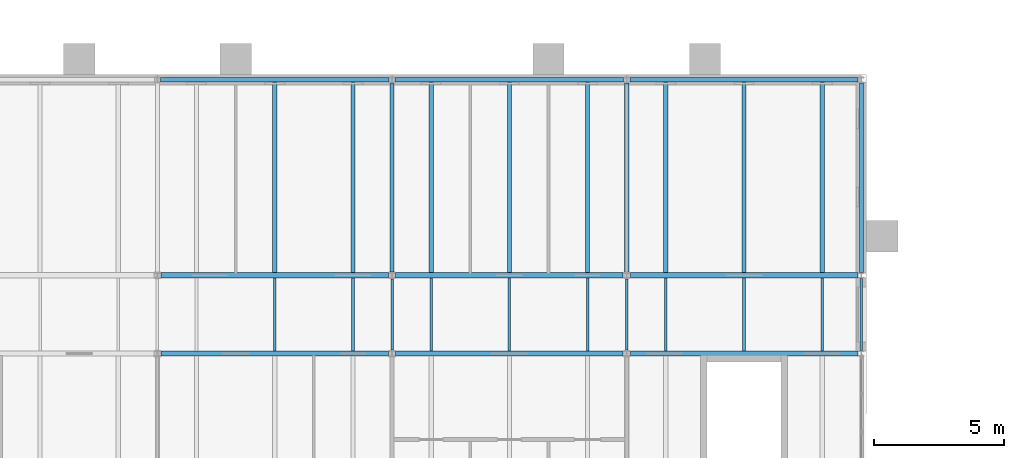
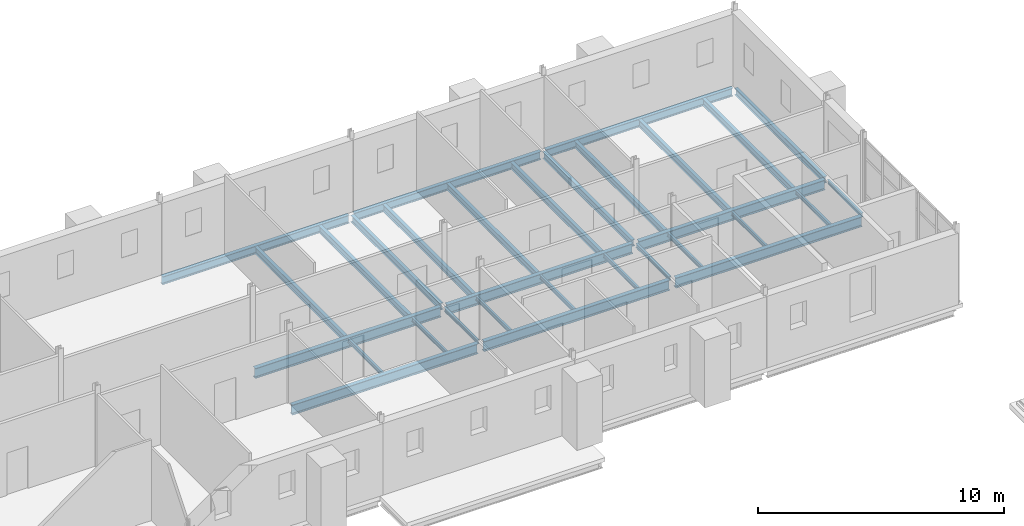
# One storey, part 51 of 121: 31 beams.
"""IFC4 building model written with IfcOpenShell, lengths in metres."""

from ifc_helpers import new_model, si_unit, direction, frame, origin, origin_2d, place, context, subcontext, project, spatial, i_section, extrude, material, material_profile, profile_set, type_object, element, save


model = new_model("IFC4")

# Units and contexts
model_context = context("Model", 3, precision=1e-05, world=origin(), true_north=direction((0.0, 1.0)))
body_context = subcontext(model_context, "Body", "Model", "MODEL_VIEW")
ifc_project = project(units=[si_unit("LENGTHUNIT", "METRE"), si_unit("AREAUNIT", "SQUARE_METRE"), si_unit("VOLUMEUNIT", "CUBIC_METRE"), si_unit("PLANEANGLEUNIT", "RADIAN"), si_unit("MASSUNIT", "GRAM", prefix="KILO")], contexts=[model_context])

# Site, building, storey
site_placement = place(None, origin())
site = spatial("IfcSite", under=ifc_project, at=site_placement, CompositionType="ELEMENT")
building_placement = place(site_placement, origin())
building = spatial("IfcBuilding", under=site, at=building_placement, Name="Golden Quay Civic Hall", CompositionType="ELEMENT")
storey_placement = place(building_placement, frame((0.0, 0.0, 18.60009765625)))
storey = spatial("IfcBuildingStorey", under=building, at=storey_placement, Name="L04", CompositionType="ELEMENT", Elevation=18.60009765625)

# Beams
ifc_material_1 = material(Name="Steel S355", Category="steel")
ifc_material_profile_1 = material_profile(ifc_material_1, i_section(OverallWidth=0.10009765625, OverallDepth=0.199951171875, WebThickness=0.005615234375, FlangeThickness=0.008544921875, FilletRadius=0.011962890625, at=origin_2d()), Name="IPE 200")
ifc_profile_set_1 = profile_set([ifc_material_profile_1], Name="Steel S355")
beam_type_1 = type_object("IfcBeamType", Name="Steel beam IPE 200", PredefinedType="BEAM", material=ifc_profile_set_1)
for number, where, z_axis, x_axis, name in (
    (1, (36.0, 70.635009765625, -0.300048828125), (0.0, 1.0, 0.0), (-1.0, 0.0, 0.0), "Beam S36-70.5"),
    (2, (45.0, 70.635009765625, -0.300048828125), (0.0, 1.0, 0.0), (-1.0, 0.0, 0.0), "Beam S45-70.5"),
):
    element("IfcBeam", number, at=place(storey_placement, frame(where, z_axis=z_axis, x_axis=x_axis)), inside=storey, type_object=beam_type_1, Name=name, PredefinedType="BEAM", context=body_context, shape_type="SweptSolid", body=[
        extrude(i_section(OverallWidth=0.10009765625, OverallDepth=0.199951171875, WebThickness=0.005615234375, FlangeThickness=0.008544921875, FilletRadius=0.011962890625, at=origin_2d()), origin(), (0.0, 0.0, 1.0), 2.72998046875),
    ])
beam_1_placement = place(storey_placement, frame((54.0, 70.614990234375, -0.300048828125), z_axis=(0.0, 1.0, 0.0), x_axis=(-1.0, 0.0, 0.0)))
element("IfcBeam", 3, at=beam_1_placement, inside=storey, type_object=beam_type_1, Name="Beam S54-70.5", PredefinedType="BEAM", context=body_context, shape_type="SweptSolid", body=[
    extrude(i_section(OverallWidth=0.10009765625, OverallDepth=0.199951171875, WebThickness=0.005615234375, FlangeThickness=0.008544921875, FilletRadius=0.011962890625, at=origin_2d()), origin(), (0.0, 0.0, 1.0), 2.77001953125),
])
ifc_material_2 = material(Name="Steel S355", Category="steel")
ifc_material_profile_2 = material_profile(ifc_material_2, i_section(OverallWidth=0.159912109375, OverallDepth=0.330078125, WebThickness=0.007568359375, FlangeThickness=0.011474609375, FilletRadius=0.01806640625, at=origin_2d()), Name="IPE 330")
ifc_profile_set_2 = profile_set([ifc_material_profile_2], Name="Steel S355")
beam_type_2 = type_object("IfcBeamType", Name="Steel beam IPE 330", PredefinedType="BEAM", material=ifc_profile_set_2)
for number, where, z_axis, x_axis, name in (
    (4, (36.0, 73.635009765625, -0.364990234375), (0.0, 1.0, 0.0), (-1.0, 0.0, 0.0), "Beam S36-73.5"),
    (5, (45.0, 73.635009765625, -0.364990234375), (0.0, 1.0, 0.0), (-1.0, 0.0, 0.0), "Beam S45-73.5"),
):
    element("IfcBeam", number, at=place(storey_placement, frame(where, z_axis=z_axis, x_axis=x_axis)), inside=storey, type_object=beam_type_2, Name=name, PredefinedType="BEAM", context=body_context, shape_type="SweptSolid", body=[
        extrude(i_section(OverallWidth=0.159912109375, OverallDepth=0.330078125, WebThickness=0.007568359375, FlangeThickness=0.011474609375, FilletRadius=0.01806640625, at=origin_2d()), origin(), (0.0, 0.0, 1.0), 7.25),
    ])
beam_2_placement = place(storey_placement, frame((54.0, 73.614990234375, -0.364990234375), z_axis=(0.0, 1.0, 0.0), x_axis=(-1.0, 0.0, 0.0)))
element("IfcBeam", 6, at=beam_2_placement, inside=storey, type_object=beam_type_2, Name="Beam S54-73.5", PredefinedType="BEAM", context=body_context, shape_type="SweptSolid", body=[
    extrude(i_section(OverallWidth=0.159912109375, OverallDepth=0.330078125, WebThickness=0.007568359375, FlangeThickness=0.011474609375, FilletRadius=0.01806640625, at=origin_2d()), origin(), (0.0, 0.0, 1.0), 7.27001953125),
])
ifc_material_3 = material(Name="Steel S355", Category="steel")
ifc_material_profile_3 = material_profile(ifc_material_3, i_section(OverallWidth=0.179931640625, OverallDepth=0.39990234375, WebThickness=0.008544921875, FlangeThickness=0.013427734375, FilletRadius=0.02099609375, at=origin_2d()), Name="IPE 400")
ifc_profile_set_3 = profile_set([ifc_material_profile_3], Name="Steel S355")
beam_type_3 = type_object("IfcBeamType", Name="Steel beam IPE 400", PredefinedType="BEAM", material=ifc_profile_set_3)
for number, where, z_axis, x_axis, name in (
    (7, (27.1201171875, 81.0, -0.400146484375), (1.0, 0.0, 0.0), (0.0, 1.0, 0.0), "Beam L81-27"),
    (8, (36.1201171875, 81.0, -0.400146484375), (1.0, 0.0, 0.0), (0.0, 1.0, 0.0), "Beam L81-36"),
    (9, (45.1201171875, 81.0, -0.400146484375), (1.0, 0.0, 0.0), (0.0, 1.0, 0.0), "Beam L81-45"),
):
    element("IfcBeam", number, at=place(storey_placement, frame(where, z_axis=z_axis, x_axis=x_axis)), inside=storey, type_object=beam_type_3, Name=name, PredefinedType="BEAM", context=body_context, shape_type="SweptSolid", body=[
        extrude(i_section(OverallWidth=0.179931640625, OverallDepth=0.39990234375, WebThickness=0.008544921875, FlangeThickness=0.013427734375, FilletRadius=0.02099609375, at=origin_2d()), origin(), (0.0, 0.0, 1.0), 8.759765625),
    ])
ifc_material_4 = material(Name="Steel S355", Category="steel")
ifc_material_profile_4 = material_profile(ifc_material_4, i_section(OverallWidth=0.199951171875, OverallDepth=0.5, WebThickness=0.01025390625, FlangeThickness=0.01611328125, FilletRadius=0.02099609375, at=origin_2d()), Name="IPE 500")
ifc_profile_set_4 = profile_set([ifc_material_profile_4], Name="Steel S355")
beam_type_4 = type_object("IfcBeamType", Name="Steel beam IPE 500", PredefinedType="BEAM", material=ifc_profile_set_4)
for number, where, z_axis, x_axis, name in (
    (10, (27.139892578125, 70.5, -0.4501953125), (1.0, 0.0, 0.0), (0.0, 1.0, 0.0), "Beam L70.5-27"),
    (11, (36.139892578125, 70.5, -0.4501953125), (1.0, 0.0, 0.0), (0.0, 1.0, 0.0), "Beam L70.5-36"),
):
    element("IfcBeam", number, at=place(storey_placement, frame(where, z_axis=z_axis, x_axis=x_axis)), inside=storey, type_object=beam_type_4, Name=name, PredefinedType="BEAM", context=body_context, shape_type="SweptSolid", body=[
        extrude(i_section(OverallWidth=0.199951171875, OverallDepth=0.5, WebThickness=0.01025390625, FlangeThickness=0.01611328125, FilletRadius=0.02099609375, at=origin_2d()), origin(), (0.0, 0.0, 1.0), 8.72021484375),
    ])
beam_3_placement = place(storey_placement, frame((45.139892578125, 70.5, -0.4501953125), z_axis=(1.0, 0.0, 0.0), x_axis=(0.0, 1.0, 0.0)))
element("IfcBeam", 12, at=beam_3_placement, inside=storey, type_object=beam_type_4, Name="Beam L70.5-45", PredefinedType="BEAM", context=body_context, shape_type="SweptSolid", body=[
    extrude(i_section(OverallWidth=0.199951171875, OverallDepth=0.5, WebThickness=0.01025390625, FlangeThickness=0.01611328125, FilletRadius=0.02099609375, at=origin_2d()), origin(), (0.0, 0.0, 1.0), 8.739990234375),
])
for number, where, z_axis, x_axis, name in (
    (13, (27.139892578125, 73.5, -0.4501953125), (1.0, 0.0, 0.0), (0.0, 1.0, 0.0), "Beam L73.5-27"),
    (14, (36.139892578125, 73.5, -0.4501953125), (1.0, 0.0, 0.0), (0.0, 1.0, 0.0), "Beam L73.5-36"),
):
    element("IfcBeam", number, at=place(storey_placement, frame(where, z_axis=z_axis, x_axis=x_axis)), inside=storey, type_object=beam_type_4, Name=name, PredefinedType="BEAM", context=body_context, shape_type="SweptSolid", body=[
        extrude(i_section(OverallWidth=0.199951171875, OverallDepth=0.5, WebThickness=0.01025390625, FlangeThickness=0.01611328125, FilletRadius=0.02099609375, at=origin_2d()), origin(), (0.0, 0.0, 1.0), 8.72021484375),
    ])
beam_4_placement = place(storey_placement, frame((45.139892578125, 73.5, -0.4501953125), z_axis=(1.0, 0.0, 0.0), x_axis=(0.0, 1.0, 0.0)))
element("IfcBeam", 15, at=beam_4_placement, inside=storey, type_object=beam_type_4, Name="Beam L73.5-45", PredefinedType="BEAM", context=body_context, shape_type="SweptSolid", body=[
    extrude(i_section(OverallWidth=0.199951171875, OverallDepth=0.5, WebThickness=0.01025390625, FlangeThickness=0.01611328125, FilletRadius=0.02099609375, at=origin_2d()), origin(), (0.0, 0.0, 1.0), 8.739990234375),
])
ifc_material_5 = material(Name="Steel S355", Category="steel")
ifc_material_profile_5 = material_profile(ifc_material_5, i_section(OverallWidth=0.10009765625, OverallDepth=0.199951171875, WebThickness=0.005615234375, FlangeThickness=0.008544921875, FilletRadius=0.011962890625, at=origin_2d()), Name="IPE 200")
ifc_profile_set_5 = profile_set([ifc_material_profile_5], Name="Steel S355")
beam_type_5 = type_object("IfcBeamType", Name="Steel joist IPE 200", PredefinedType="JOIST", material=ifc_profile_set_5)
for number, where, z_axis, x_axis, name in (
    (16, (31.5, 70.60009765625, -0.300048828125), (0.0, 1.0, 0.0), (-1.0, 0.0, 0.0), "Joist J31.5-70.5"),
    (17, (34.5, 70.60009765625, -0.300048828125), (0.0, 1.0, 0.0), (-1.0, 0.0, 0.0), "Joist J34.5-70.5"),
    (18, (37.5, 70.60009765625, -0.300048828125), (0.0, 1.0, 0.0), (-1.0, 0.0, 0.0), "Joist J37.5-70.5"),
    (19, (40.5, 70.60009765625, -0.300048828125), (0.0, 1.0, 0.0), (-1.0, 0.0, 0.0), "Joist J40.5-70.5"),
    (20, (43.5, 70.60009765625, -0.300048828125), (0.0, 1.0, 0.0), (-1.0, 0.0, 0.0), "Joist J43.5-70.5"),
    (21, (46.5, 70.60009765625, -0.300048828125), (0.0, 1.0, 0.0), (-1.0, 0.0, 0.0), "Joist J46.5-70.5"),
    (22, (49.5, 70.60009765625, -0.300048828125), (0.0, 1.0, 0.0), (-1.0, 0.0, 0.0), "Joist J49.5-70.5"),
    (23, (52.5, 70.60009765625, -0.300048828125), (0.0, 1.0, 0.0), (-1.0, 0.0, 0.0), "Joist J52.5-70.5"),
):
    element("IfcBeam", number, at=place(storey_placement, frame(where, z_axis=z_axis, x_axis=x_axis)), inside=storey, type_object=beam_type_5, Name=name, PredefinedType="JOIST", context=body_context, shape_type="SweptSolid", body=[
        extrude(i_section(OverallWidth=0.10009765625, OverallDepth=0.199951171875, WebThickness=0.005615234375, FlangeThickness=0.008544921875, FilletRadius=0.011962890625, at=origin_2d()), origin(), (0.0, 0.0, 1.0), 2.7998046875),
    ])
ifc_material_6 = material(Name="Steel S355", Category="steel")
ifc_material_profile_6 = material_profile(ifc_material_6, i_section(OverallWidth=0.159912109375, OverallDepth=0.330078125, WebThickness=0.007568359375, FlangeThickness=0.011474609375, FilletRadius=0.01806640625, at=origin_2d()), Name="IPE 330")
ifc_profile_set_6 = profile_set([ifc_material_profile_6], Name="Steel S355")
beam_type_6 = type_object("IfcBeamType", Name="Steel joist IPE 330", PredefinedType="JOIST", material=ifc_profile_set_6)
for number, where, z_axis, x_axis, name in (
    (24, (31.5, 73.60009765625, -0.364990234375), (0.0, 1.0, 0.0), (-1.0, 0.0, 0.0), "Joist J31.5-73.5"),
    (25, (34.5, 73.60009765625, -0.364990234375), (0.0, 1.0, 0.0), (-1.0, 0.0, 0.0), "Joist J34.5-73.5"),
    (26, (37.5, 73.60009765625, -0.364990234375), (0.0, 1.0, 0.0), (-1.0, 0.0, 0.0), "Joist J37.5-73.5"),
    (27, (40.5, 73.60009765625, -0.364990234375), (0.0, 1.0, 0.0), (-1.0, 0.0, 0.0), "Joist J40.5-73.5"),
    (28, (43.5, 73.60009765625, -0.364990234375), (0.0, 1.0, 0.0), (-1.0, 0.0, 0.0), "Joist J43.5-73.5"),
    (29, (46.5, 73.60009765625, -0.364990234375), (0.0, 1.0, 0.0), (-1.0, 0.0, 0.0), "Joist J46.5-73.5"),
    (30, (49.5, 73.60009765625, -0.364990234375), (0.0, 1.0, 0.0), (-1.0, 0.0, 0.0), "Joist J49.5-73.5"),
    (31, (52.5, 73.60009765625, -0.364990234375), (0.0, 1.0, 0.0), (-1.0, 0.0, 0.0), "Joist J52.5-73.5"),
):
    element("IfcBeam", number, at=place(storey_placement, frame(where, z_axis=z_axis, x_axis=x_axis)), inside=storey, type_object=beam_type_6, Name=name, PredefinedType="JOIST", context=body_context, shape_type="SweptSolid", body=[
        extrude(i_section(OverallWidth=0.159912109375, OverallDepth=0.330078125, WebThickness=0.007568359375, FlangeThickness=0.011474609375, FilletRadius=0.01806640625, at=origin_2d()), origin(), (0.0, 0.0, 1.0), 7.309814453125),
    ])

save(model, "model.ifc")
